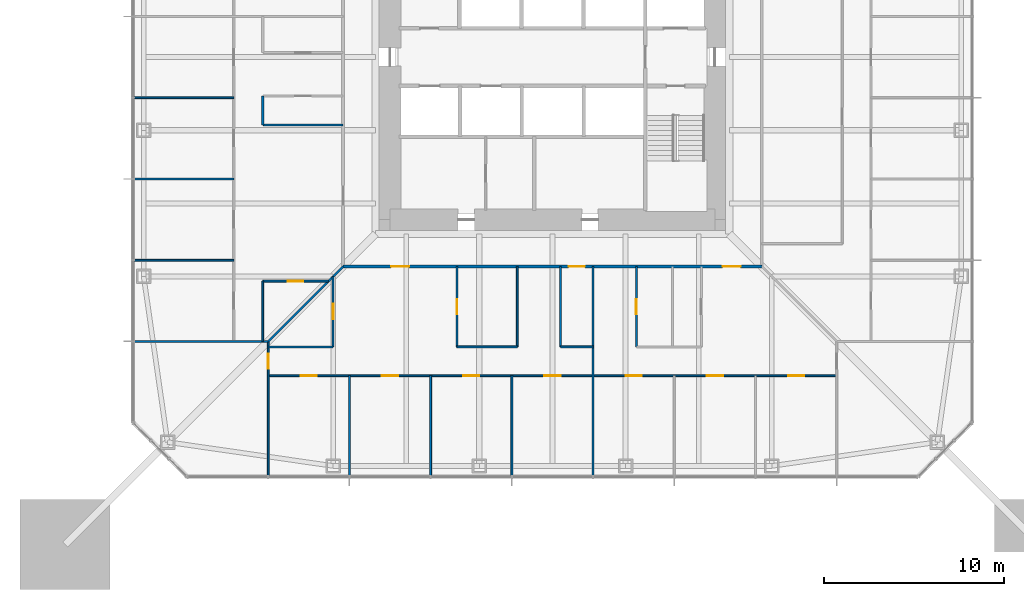
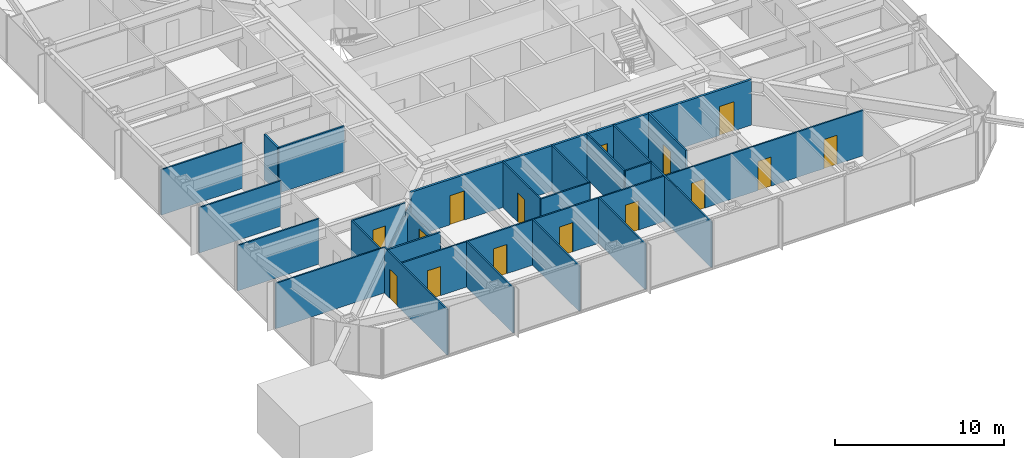
# One storey, part 14 of 26: 24 walls, 15 doors, 15 openings.
"""IFC4 building model written with IfcOpenShell, lengths in metres."""

import ifcopenshell
import ifcopenshell.guid

model = None  # the IFC model being written
_history = None  # IfcOwnerHistory: only IFC2X3 demands one
_inside = {}  # id of a spatial element -> (the spatial element, [elements in it])
_under = {}  # id of a project, library or spatial element -> (it, [spatial elements below it])
_declared = {}  # id of a project -> (the project, [libraries it declares])
_typed = {}  # id of a type object -> (the type object, [elements of that type])
_made_of = {}  # id of a material, layer set ... -> (it, [elements and type objects made of it])


def new_model(schema):
    """Start an empty IFC model of exactly this schema.

    Asked for "IFC4X3", IfcOpenShell would pick the latest addendum, in which some entities
    have other attributes; the version numbers below select the first issue.
    IFC2X3 requires an IfcOwnerHistory on every rooted entity: one is made here for all.
    """
    global model, _history
    if schema == "IFC4X3":
        model = ifcopenshell.file(schema_version=(4, 3, 0, 0))
    else:
        model = ifcopenshell.file(schema=schema)
    _inside.clear()
    _under.clear()
    _declared.clear()
    _typed.clear()
    _made_of.clear()
    _history = None
    if model.schema == "IFC2X3":
        org = make("IfcOrganization", Name="unknown")
        user = make(
            "IfcPersonAndOrganization",
            ThePerson=make("IfcPerson", FamilyName="unknown"),
            TheOrganization=org,
        )
        app = make(
            "IfcApplication",
            ApplicationDeveloper=org,
            Version="unknown",
            ApplicationFullName="unknown",
            ApplicationIdentifier="unknown",
        )
        _history = make(
            "IfcOwnerHistory",
            OwningUser=user,
            OwningApplication=app,
            ChangeAction="ADDED",
            CreationDate=0,
        )
    return model


def make(cls, **values):
    """One entity of the class cls with the attributes given. An attribute that is None is left unset."""
    return model.create_entity(
        cls, **{name: value for name, value in values.items() if value is not None}
    )


def rooted(cls, **values):
    """An entity with a GlobalId (a new one), such as an element, a storey or a relation."""
    return make(cls, GlobalId=ifcopenshell.guid.new(), OwnerHistory=_history, **values)


def si_unit(unit_type, name, prefix=None):
    """IfcSIUnit, for example si_unit("LENGTHUNIT", "METRE", prefix="MILLI")."""
    return make("IfcSIUnit", UnitType=unit_type, Prefix=prefix, Name=name)


def assignment(units):
    """IfcUnitAssignment: the units of a project."""
    return None if units is None else make("IfcUnitAssignment", Units=units)


def point(xyz):
    """IfcCartesianPoint."""
    return None if xyz is None else make("IfcCartesianPoint", Coordinates=xyz)


def direction(xyz):
    """IfcDirection."""
    return None if xyz is None else make("IfcDirection", DirectionRatios=xyz)


def frame(location, z_axis=None, x_axis=None):
    """IfcAxis2Placement3D, a coordinate frame: its origin and axes. An axis left out is left unset."""
    return make(
        "IfcAxis2Placement3D",
        Location=point(location),
        Axis=direction(z_axis),
        RefDirection=direction(x_axis),
    )


def frame_2d(location, x_axis=None):
    """IfcAxis2Placement2D, a coordinate frame in the plane: its origin and x axis."""
    return make(
        "IfcAxis2Placement2D", Location=point(location), RefDirection=direction(x_axis)
    )


def origin():
    """The frame at (0, 0, 0) with its axes left unset."""
    return frame((0.0, 0.0, 0.0))


def place(relative_to, where):
    """IfcLocalPlacement: puts the frame where relative to a parent placement (None: the world)."""
    return make(
        "IfcLocalPlacement", PlacementRelTo=relative_to, RelativePlacement=where
    )


def context(
    kind, dimensions, precision=None, world=None, true_north=None, identifier=None
):
    """IfcGeometricRepresentationContext, for example the 3D "Model" context."""
    return make(
        "IfcGeometricRepresentationContext",
        ContextIdentifier=identifier,
        ContextType=kind,
        CoordinateSpaceDimension=dimensions,
        Precision=precision,
        WorldCoordinateSystem=world,
        TrueNorth=true_north,
    )


def subcontext(parent, identifier, kind, view, scale=None):
    """IfcGeometricRepresentationSubContext, for example "Body" below "Model"."""
    return make(
        "IfcGeometricRepresentationSubContext",
        ContextIdentifier=identifier,
        ContextType=kind,
        ParentContext=parent,
        TargetScale=scale,
        TargetView=view,
    )


def project(units=None, contexts=None):
    """IfcProject with its units and contexts."""
    return rooted(
        "IfcProject",
        Name="project",
        RepresentationContexts=contexts,
        UnitsInContext=assignment(units),
    )


def spatial(cls, under=None, at=None, **own):
    """A site, building, storey or space (cls), placed at a placement, below another one or the project."""
    s = rooted(cls, ObjectPlacement=at, **own)
    if under is not None:
        _under.setdefault(under.id(), (under, []))[1].append(s)
    return s


def profile(cls, at=None, kind="AREA", **sizes):
    """A parametric profile (cls). Its sizes go by their IFC names, for example OverallWidth=200.0."""
    return make(cls, ProfileType=kind, Position=at, **sizes)


def rectangle(**sizes):
    """IfcRectangleProfileDef."""
    return profile("IfcRectangleProfileDef", **sizes)


def extrude(swept, where, along, depth):
    """IfcExtrudedAreaSolid: the profile swept, set in the frame where, extruded along a direction by depth."""
    return make(
        "IfcExtrudedAreaSolid",
        SweptArea=swept,
        Position=where,
        ExtrudedDirection=direction(along),
        Depth=depth,
    )


def shape(context_of_items, identifier, shape_type, items):
    """IfcShapeRepresentation: the items that make up one representation, for example the "Body"."""
    return make(
        "IfcShapeRepresentation",
        ContextOfItems=context_of_items,
        RepresentationIdentifier=identifier,
        RepresentationType=shape_type,
        Items=items,
    )


def material(Name=None, Category=None):
    """IfcMaterial."""
    return make("IfcMaterial", Name=Name, Category=Category)


def layer(
    of_material, thickness, ventilated=None, Name=None, Category=None, Priority=None
):
    """IfcMaterialLayer: one layer of a wall or slab, of a material (None: an air gap)."""
    return make(
        "IfcMaterialLayer",
        Material=of_material,
        LayerThickness=thickness,
        IsVentilated=ventilated,
        Name=Name,
        Category=Category,
        Priority=Priority,
    )


def layer_set(layers, Name=None):
    """IfcMaterialLayerSet."""
    return make("IfcMaterialLayerSet", MaterialLayers=layers, LayerSetName=Name)


def made_of(thing, what):
    """Note that an element or type object is made of a material, layer set ...; save() writes the relation."""
    if what is not None:
        _made_of.setdefault(what.id(), (what, []))[1].append(thing)
    return thing


def type_object(cls, material=None, **own):
    """A type object (cls), such as IfcWallType, which elements share."""
    return made_of(rooted(cls, **own), material)


def element(
    cls,
    number,
    at=None,
    inside=None,
    cuts=None,
    type_object=None,
    material=None,
    context=None,
    identifier="Body",
    shape_type=None,
    held_by="IfcProductDefinitionShape",
    body=None,
    shapes=None,
    **own,
):
    """One element of the class cls, such as IfcWall. Its Tag is "e" and its number.

    at: its placement. inside: the storey or other place that contains it. cuts: it is an
    opening in that element (IfcRelVoidsElement). A single representation is given by context,
    identifier, shape_type and body (its items); several are given by shapes. held_by: the class
    of the entity that holds the representations. save() writes the other relations.
    """
    e = rooted(cls, Tag="e%d" % number, ObjectPlacement=at, **own)
    if body is not None:
        shapes = [shape(context, identifier, shape_type, body)]
    if shapes is not None:
        e.Representation = make(held_by, Representations=shapes)
    if inside is not None:
        _inside.setdefault(inside.id(), (inside, []))[1].append(e)
    if cuts is not None:
        rooted(
            "IfcRelVoidsElement", RelatingBuildingElement=cuts, RelatedOpeningElement=e
        )
    if type_object is not None:
        _typed.setdefault(type_object.id(), (type_object, []))[1].append(e)
    return made_of(e, material)


def fill(opening, filler):
    """IfcRelFillsElement: the door or window that sits in an opening."""
    return rooted(
        "IfcRelFillsElement",
        RelatingOpeningElement=opening,
        RelatedBuildingElement=filler,
    )


def aggregate(whole, parts):
    """IfcRelAggregates: a whole, such as a stair, and the parts it consists of."""
    return rooted("IfcRelAggregates", RelatingObject=whole, RelatedObjects=parts)


def save(model, path):
    """Write the relations noted so far, then the file.

    IfcRelAggregates (storeys below a building ...), IfcRelContainedInSpatialStructure (elements
    in a storey), IfcRelDefinesByType, IfcRelAssociatesMaterial and IfcRelDeclares: one each for
    every whole, place, type object, material and project.
    """
    for whole, parts in _under.values():
        aggregate(whole, parts)
    for where, things in _inside.values():
        rooted(
            "IfcRelContainedInSpatialStructure",
            RelatedElements=things,
            RelatingStructure=where,
        )
    for kind, things in _typed.values():
        rooted("IfcRelDefinesByType", RelatedObjects=things, RelatingType=kind)
    for what, things in _made_of.values():
        rooted("IfcRelAssociatesMaterial", RelatedObjects=things, RelatingMaterial=what)
    for by, libraries in _declared.values():
        rooted("IfcRelDeclares", RelatingContext=by, RelatedDefinitions=libraries)
    model.write(path)


model = new_model("IFC4")

# Units and contexts
model_context = context("Model", 3, precision=1e-05, world=origin(), true_north=direction((0.0, 1.0)))
body_context = subcontext(model_context, "Body", "Model", "MODEL_VIEW")
ifc_project = project(units=[si_unit("LENGTHUNIT", "METRE"), si_unit("AREAUNIT", "SQUARE_METRE"), si_unit("VOLUMEUNIT", "CUBIC_METRE"), si_unit("PLANEANGLEUNIT", "RADIAN"), si_unit("MASSUNIT", "GRAM", prefix="KILO")], contexts=[model_context])

# Site, building, storey
site_placement = place(None, origin())
site = spatial("IfcSite", under=ifc_project, at=site_placement, CompositionType="ELEMENT")
building_placement = place(site_placement, origin())
building = spatial("IfcBuilding", under=site, at=building_placement, Name="Iwan Alto Co-Living Towers", CompositionType="ELEMENT")
storey_placement = place(building_placement, frame((0.0, 0.0, 60.5)))
storey = spatial("IfcBuildingStorey", under=building, at=storey_placement, Name="L16", CompositionType="ELEMENT", Elevation=60.5)

# Wall, openings, doors
ifc_material_1 = material(Name="Gypsum board")
ifc_layer_1 = layer(ifc_material_1, 0.02490234375, Name="Board", Category="Finish")
ifc_material_2 = material(Name="Steel ASTM A1003 ST33H cold-formed studs", Category="steel")
ifc_layer_2 = layer(ifc_material_2, 0.10009765625, Name="Studs", Category="Framing")
ifc_layer_3 = layer(ifc_material_1, 0.02490234375, Name="Board", Category="Finish")
ifc_layer_set_1 = layer_set([ifc_layer_1, ifc_layer_2, ifc_layer_3], Name="CORRIDOR WALL 150")
wall_type_1 = type_object("IfcWallType", Name="CORRIDOR WALL 150", PredefinedType="PARTITIONING", material=ifc_layer_set_1)
wall_1_placement = place(storey_placement, frame((-11.60009765625, -11.60009765625, 0.0), z_axis=(0.0, 0.0, 1.0), x_axis=(1.0, 0.0, 0.0)))
wall_1 = element("IfcWall", 1, at=wall_1_placement, inside=storey, type_object=wall_type_1, Name="Partition L16", PredefinedType="PARTITIONING", context=body_context, shape_type="SweptSolid", body=[
    extrude(rectangle(XDim=23.2001953125, YDim=0.14990234375, at=frame_2d((11.60009765625, 0.0))), origin(), (0.0, 0.0, 1.0), 3.27001953125),
])
opening_1_placement = place(wall_1_placement, frame((2.655029296875, 0.0, 0.0)))
opening_1 = element("IfcOpeningElement", 2, at=opening_1_placement, cuts=wall_1, Name="Opening D3", PredefinedType="OPENING", context=body_context, shape_type="SweptSolid", body=[
    extrude(rectangle(XDim=1.0, YDim=2.10009765625, at=frame_2d((0.5, 1.050048828125))), frame((0.0, 0.0849609375, 0.0), z_axis=(0.0, -1.0, 0.0), x_axis=(1.0, 0.0, 0.0)), (0.0, 0.0, 1.0), 0.169921875),
])
opening_2_placement = place(wall_1_placement, frame((12.5, 0.0, 0.0)))
opening_2 = element("IfcOpeningElement", 3, at=opening_2_placement, cuts=wall_1, Name="Opening D8", PredefinedType="OPENING", context=body_context, shape_type="SweptSolid", body=[
    extrude(rectangle(XDim=0.89990234375, YDim=2.10009765625, at=frame_2d((0.449951171875, 1.050048828125))), frame((0.0, 0.0849609375, 0.0), z_axis=(0.0, -1.0, 0.0), x_axis=(1.0, 0.0, 0.0)), (0.0, 0.0, 1.0), 0.169921875),
])
opening_3_placement = place(wall_1_placement, frame((21.02490234375, 0.0, 0.0)))
opening_3 = element("IfcOpeningElement", 4, at=opening_3_placement, cuts=wall_1, Name="Opening D3", PredefinedType="OPENING", context=body_context, shape_type="SweptSolid", body=[
    extrude(rectangle(XDim=1.0, YDim=2.10009765625, at=frame_2d((0.5, 1.050048828125))), frame((0.0, 0.0849609375, 0.0), z_axis=(0.0, -1.0, 0.0), x_axis=(1.0, 0.0, 0.0)), (0.0, 0.0, 1.0), 0.169921875),
])
ifc_material_3 = material(Name="Steel frame with timber leaf", Category="steel")
door_type_1 = type_object("IfcDoorType", Name="FLAT ENTRANCE DOOR FD30S 1000X2100", OperationType="SINGLE_SWING_LEFT", PredefinedType="DOOR", material=ifc_material_3)
door_1_placement = place(opening_1_placement, frame((1.0, 0.0, 0.0), z_axis=(0.0, 0.0, 1.0), x_axis=(-1.0, 0.0, 0.0)))
door_1 = element("IfcDoor", 5, at=door_1_placement, inside=storey, type_object=door_type_1, Name="Cluster lounge door L16", OperationType="SINGLE_SWING_LEFT", OverallHeight=2.10009765625, OverallWidth=1.0, PredefinedType="DOOR", context=body_context, shape_type="SweptSolid", body=[
    extrude(rectangle(XDim=1.0, YDim=2.10009765625, at=frame_2d((0.5, 1.050048828125))), frame((0.0, 0.02490234375, 0.0), z_axis=(0.0, -1.0, 0.0), x_axis=(1.0, 0.0, 0.0)), (0.0, 0.0, 1.0), 0.050048828125),
])
fill(opening_1, door_1)
door_2_placement = place(opening_3_placement, frame((1.0, 0.0, 0.0), z_axis=(0.0, 0.0, 1.0), x_axis=(-1.0, 0.0, 0.0)))
door_2 = element("IfcDoor", 6, at=door_2_placement, inside=storey, type_object=door_type_1, Name="Cluster lounge door L16", OperationType="SINGLE_SWING_RIGHT", OverallHeight=2.10009765625, OverallWidth=1.0, PredefinedType="DOOR", context=body_context, shape_type="SweptSolid", body=[
    extrude(rectangle(XDim=1.0, YDim=2.10009765625, at=frame_2d((0.5, 1.050048828125))), frame((0.0, 0.02490234375, 0.0), z_axis=(0.0, -1.0, 0.0), x_axis=(1.0, 0.0, 0.0)), (0.0, 0.0, 1.0), 0.050048828125),
])
fill(opening_3, door_2)
ifc_material_4 = material(Name="Steel frame with timber leaf", Category="steel")
door_type_2 = type_object("IfcDoorType", Name="RISER DOOR FD120 900X2100", OperationType="SINGLE_SWING_LEFT", PredefinedType="DOOR", material=ifc_material_4)
door_3_placement = place(opening_2_placement, frame((0.89990234375, 0.0, 0.0), z_axis=(0.0, 0.0, 1.0), x_axis=(-1.0, 0.0, 0.0)))
door_3 = element("IfcDoor", 7, at=door_3_placement, inside=storey, type_object=door_type_2, Name="Linen store door L16", OperationType="SINGLE_SWING_RIGHT", OverallHeight=2.10009765625, OverallWidth=0.89990234375, PredefinedType="DOOR", context=body_context, shape_type="SweptSolid", body=[
    extrude(rectangle(XDim=0.89990234375, YDim=2.10009765625, at=frame_2d((0.449951171875, 1.050048828125))), frame((0.0, 0.02490234375, 0.0), z_axis=(0.0, -1.0, 0.0), x_axis=(1.0, 0.0, 0.0)), (0.0, 0.0, 1.0), 0.050048828125),
])
fill(opening_2, door_3)

ifc_layer_4 = layer(ifc_material_1, 0.012451171875, Name="Board", Category="Finish")
ifc_layer_5 = layer(ifc_material_2, 0.074951171875, Name="Studs", Category="Framing")
ifc_layer_6 = layer(ifc_material_1, 0.012451171875, Name="Board", Category="Finish")
ifc_layer_set_2 = layer_set([ifc_layer_4, ifc_layer_5, ifc_layer_6], Name="PARTITION 100")
wall_type_2 = type_object("IfcWallType", Name="PARTITION 100", PredefinedType="PARTITIONING", material=ifc_layer_set_2)
wall_2_placement = place(storey_placement, frame((-15.75, -17.64990234375, 0.0), z_axis=(0.0, 0.0, 1.0), x_axis=(1.0, 0.0, 0.0)))
wall_2 = element("IfcWall", 8, at=wall_2_placement, inside=storey, type_object=wall_type_2, Name="Partition L16", PredefinedType="PARTITIONING", context=body_context, shape_type="SweptSolid", body=[
    extrude(rectangle(XDim=31.5, YDim=0.10009765625, at=frame_2d((15.75, 0.0))), origin(), (0.0, 0.0, 1.0), 3.27001953125),
])
opening_4_placement = place(wall_2_placement, frame((1.800048828125, 0.0, 0.0)))
opening_4 = element("IfcOpeningElement", 9, at=opening_4_placement, cuts=wall_2, Name="Opening D1", PredefinedType="OPENING", context=body_context, shape_type="SweptSolid", body=[
    extrude(rectangle(XDim=0.89990234375, YDim=2.10009765625, at=frame_2d((0.449951171875, 1.050048828125))), frame((0.0, 0.06005859375, 0.0), z_axis=(0.0, -1.0, 0.0), x_axis=(1.0, 0.0, 0.0)), (0.0, 0.0, 1.0), 0.1201171875),
])
opening_5_placement = place(wall_2_placement, frame((6.300048828125, 0.0, 0.0)))
opening_5 = element("IfcOpeningElement", 10, at=opening_5_placement, cuts=wall_2, Name="Opening D1", PredefinedType="OPENING", context=body_context, shape_type="SweptSolid", body=[
    extrude(rectangle(XDim=0.89990234375, YDim=2.10009765625, at=frame_2d((0.449951171875, 1.050048828125))), frame((0.0, 0.06005859375, 0.0), z_axis=(0.0, -1.0, 0.0), x_axis=(1.0, 0.0, 0.0)), (0.0, 0.0, 1.0), 0.1201171875),
])
opening_6_placement = place(wall_2_placement, frame((10.800048828125, 0.0, 0.0)))
opening_6 = element("IfcOpeningElement", 11, at=opening_6_placement, cuts=wall_2, Name="Opening D1", PredefinedType="OPENING", context=body_context, shape_type="SweptSolid", body=[
    extrude(rectangle(XDim=0.89990234375, YDim=2.10009765625, at=frame_2d((0.449951171875, 1.050048828125))), frame((0.0, 0.06005859375, 0.0), z_axis=(0.0, -1.0, 0.0), x_axis=(1.0, 0.0, 0.0)), (0.0, 0.0, 1.0), 0.1201171875),
])
opening_7_placement = place(wall_2_placement, frame((15.300048828125, 0.0, 0.0)))
opening_7 = element("IfcOpeningElement", 12, at=opening_7_placement, cuts=wall_2, Name="Opening D1", PredefinedType="OPENING", context=body_context, shape_type="SweptSolid", body=[
    extrude(rectangle(XDim=0.89990234375, YDim=2.10009765625, at=frame_2d((0.449951171875, 1.050048828125))), frame((0.0, 0.06005859375, 0.0), z_axis=(0.0, -1.0, 0.0), x_axis=(1.0, 0.0, 0.0)), (0.0, 0.0, 1.0), 0.1201171875),
])
opening_8_placement = place(wall_2_placement, frame((19.800048828125, 0.0, 0.0)))
opening_8 = element("IfcOpeningElement", 13, at=opening_8_placement, cuts=wall_2, Name="Opening D1", PredefinedType="OPENING", context=body_context, shape_type="SweptSolid", body=[
    extrude(rectangle(XDim=0.89990234375, YDim=2.10009765625, at=frame_2d((0.449951171875, 1.050048828125))), frame((0.0, 0.06005859375, 0.0), z_axis=(0.0, -1.0, 0.0), x_axis=(1.0, 0.0, 0.0)), (0.0, 0.0, 1.0), 0.1201171875),
])
opening_9_placement = place(wall_2_placement, frame((24.300048828125, 0.0, 0.0)))
opening_9 = element("IfcOpeningElement", 14, at=opening_9_placement, cuts=wall_2, Name="Opening D1", PredefinedType="OPENING", context=body_context, shape_type="SweptSolid", body=[
    extrude(rectangle(XDim=0.89990234375, YDim=2.10009765625, at=frame_2d((0.449951171875, 1.050048828125))), frame((0.0, 0.06005859375, 0.0), z_axis=(0.0, -1.0, 0.0), x_axis=(1.0, 0.0, 0.0)), (0.0, 0.0, 1.0), 0.1201171875),
])
opening_10_placement = place(wall_2_placement, frame((28.800048828125, 0.0, 0.0)))
opening_10 = element("IfcOpeningElement", 15, at=opening_10_placement, cuts=wall_2, Name="Opening D1", PredefinedType="OPENING", context=body_context, shape_type="SweptSolid", body=[
    extrude(rectangle(XDim=0.89990234375, YDim=2.10009765625, at=frame_2d((0.449951171875, 1.050048828125))), frame((0.0, 0.06005859375, 0.0), z_axis=(0.0, -1.0, 0.0), x_axis=(1.0, 0.0, 0.0)), (0.0, 0.0, 1.0), 0.1201171875),
])
ifc_material_5 = material(Name="Timber leaf in steel frame", Category="steel")
door_type_3 = type_object("IfcDoorType", Name="BEDROOM DOOR 900X2100", OperationType="SINGLE_SWING_LEFT", PredefinedType="DOOR", material=ifc_material_5)
door_4_placement = place(opening_4_placement, origin())
door_4 = element("IfcDoor", 16, at=door_4_placement, inside=storey, type_object=door_type_3, Name="Study bedroom door L16", OperationType="SINGLE_SWING_LEFT", OverallHeight=2.10009765625, OverallWidth=0.89990234375, PredefinedType="DOOR", context=body_context, shape_type="SweptSolid", body=[
    extrude(rectangle(XDim=0.89990234375, YDim=2.10009765625, at=frame_2d((0.449951171875, 1.050048828125))), frame((0.0, 0.02490234375, 0.0), z_axis=(0.0, -1.0, 0.0), x_axis=(1.0, 0.0, 0.0)), (0.0, 0.0, 1.0), 0.050048828125),
])
fill(opening_4, door_4)
door_5_placement = place(opening_5_placement, origin())
door_5 = element("IfcDoor", 17, at=door_5_placement, inside=storey, type_object=door_type_3, Name="Study bedroom door L16", OperationType="SINGLE_SWING_LEFT", OverallHeight=2.10009765625, OverallWidth=0.89990234375, PredefinedType="DOOR", context=body_context, shape_type="SweptSolid", body=[
    extrude(rectangle(XDim=0.89990234375, YDim=2.10009765625, at=frame_2d((0.449951171875, 1.050048828125))), frame((0.0, 0.02490234375, 0.0), z_axis=(0.0, -1.0, 0.0), x_axis=(1.0, 0.0, 0.0)), (0.0, 0.0, 1.0), 0.050048828125),
])
fill(opening_5, door_5)
door_6_placement = place(opening_6_placement, origin())
door_6 = element("IfcDoor", 18, at=door_6_placement, inside=storey, type_object=door_type_3, Name="Study bedroom door L16", OperationType="SINGLE_SWING_RIGHT", OverallHeight=2.10009765625, OverallWidth=0.89990234375, PredefinedType="DOOR", context=body_context, shape_type="SweptSolid", body=[
    extrude(rectangle(XDim=0.89990234375, YDim=2.10009765625, at=frame_2d((0.449951171875, 1.050048828125))), frame((0.0, 0.02490234375, 0.0), z_axis=(0.0, -1.0, 0.0), x_axis=(1.0, 0.0, 0.0)), (0.0, 0.0, 1.0), 0.050048828125),
])
fill(opening_6, door_6)
door_7_placement = place(opening_7_placement, origin())
door_7 = element("IfcDoor", 19, at=door_7_placement, inside=storey, type_object=door_type_3, Name="Study bedroom door L16", OperationType="SINGLE_SWING_RIGHT", OverallHeight=2.10009765625, OverallWidth=0.89990234375, PredefinedType="DOOR", context=body_context, shape_type="SweptSolid", body=[
    extrude(rectangle(XDim=0.89990234375, YDim=2.10009765625, at=frame_2d((0.449951171875, 1.050048828125))), frame((0.0, 0.02490234375, 0.0), z_axis=(0.0, -1.0, 0.0), x_axis=(1.0, 0.0, 0.0)), (0.0, 0.0, 1.0), 0.050048828125),
])
fill(opening_7, door_7)
door_8_placement = place(opening_8_placement, origin())
door_8 = element("IfcDoor", 20, at=door_8_placement, inside=storey, type_object=door_type_3, Name="Study bedroom door L16", OperationType="SINGLE_SWING_LEFT", OverallHeight=2.10009765625, OverallWidth=0.89990234375, PredefinedType="DOOR", context=body_context, shape_type="SweptSolid", body=[
    extrude(rectangle(XDim=0.89990234375, YDim=2.10009765625, at=frame_2d((0.449951171875, 1.050048828125))), frame((0.0, 0.02490234375, 0.0), z_axis=(0.0, -1.0, 0.0), x_axis=(1.0, 0.0, 0.0)), (0.0, 0.0, 1.0), 0.050048828125),
])
fill(opening_8, door_8)
door_9_placement = place(opening_9_placement, origin())
door_9 = element("IfcDoor", 21, at=door_9_placement, inside=storey, type_object=door_type_3, Name="Study bedroom door L16", OperationType="SINGLE_SWING_LEFT", OverallHeight=2.10009765625, OverallWidth=0.89990234375, PredefinedType="DOOR", context=body_context, shape_type="SweptSolid", body=[
    extrude(rectangle(XDim=0.89990234375, YDim=2.10009765625, at=frame_2d((0.449951171875, 1.050048828125))), frame((0.0, 0.02490234375, 0.0), z_axis=(0.0, -1.0, 0.0), x_axis=(1.0, 0.0, 0.0)), (0.0, 0.0, 1.0), 0.050048828125),
])
fill(opening_9, door_9)
door_10_placement = place(opening_10_placement, origin())
door_10 = element("IfcDoor", 22, at=door_10_placement, inside=storey, type_object=door_type_3, Name="Study bedroom door L16", OperationType="SINGLE_SWING_RIGHT", OverallHeight=2.10009765625, OverallWidth=0.89990234375, PredefinedType="DOOR", context=body_context, shape_type="SweptSolid", body=[
    extrude(rectangle(XDim=0.89990234375, YDim=2.10009765625, at=frame_2d((0.449951171875, 1.050048828125))), frame((0.0, 0.02490234375, 0.0), z_axis=(0.0, -1.0, 0.0), x_axis=(1.0, 0.0, 0.0)), (0.0, 0.0, 1.0), 0.050048828125),
])
fill(opening_10, door_10)

# Walls
wall_3_placement = place(storey_placement, frame((-5.2900390625, -16.050048828125, 0.0), z_axis=(0.0, 0.0, 1.0), x_axis=(1.0, 0.0, 0.0)))
element("IfcWall", 23, at=wall_3_placement, inside=storey, type_object=wall_type_2, Name="Partition L16", PredefinedType="PARTITIONING", context=body_context, shape_type="SweptSolid", body=[
    extrude(rectangle(XDim=3.340087890625, YDim=0.10009765625, at=frame_2d((1.669921875, 0.0))), origin(), (0.0, 0.0, 1.0), 3.27001953125),
])
wall_4_placement = place(storey_placement, frame((0.449951171875, -16.050048828125, 0.0), z_axis=(0.0, 0.0, 1.0), x_axis=(1.0, 0.0, 0.0)))
element("IfcWall", 24, at=wall_4_placement, inside=storey, type_object=wall_type_2, Name="Partition L16", PredefinedType="PARTITIONING", context=body_context, shape_type="SweptSolid", body=[
    extrude(rectangle(XDim=1.800048828125, YDim=0.10009765625, at=frame_2d((0.89990234375, 0.0))), origin(), (0.0, 0.0, 1.0), 3.27001953125),
])
wall_5_placement = place(storey_placement, frame((-23.18994140625, -15.75, 0.0), z_axis=(0.0, 0.0, 1.0), x_axis=(1.0, 0.0, 0.0)))
element("IfcWall", 25, at=wall_5_placement, inside=storey, type_object=wall_type_2, Name="Partition L16", PredefinedType="PARTITIONING", context=body_context, shape_type="SweptSolid", body=[
    extrude(rectangle(XDim=7.43994140625, YDim=0.10009765625, at=frame_2d((3.719970703125, 0.0))), origin(), (0.0, 0.0, 1.0), 3.27001953125),
])

# Wall, opening, door
wall_6_placement = place(storey_placement, frame((-16.050048828125, -12.409912109375, 0.0), z_axis=(0.0, 0.0, 1.0), x_axis=(1.0, 0.0, 0.0)))
wall_6 = element("IfcWall", 26, at=wall_6_placement, inside=storey, type_object=wall_type_2, Name="Partition L16", PredefinedType="PARTITIONING", context=body_context, shape_type="SweptSolid", body=[
    extrude(rectangle(XDim=3.64013671875, YDim=0.10009765625, at=frame_2d((1.820068359375, 0.0))), origin(), (0.0, 0.0, 1.0), 3.27001953125),
])
opening_11_placement = place(wall_6_placement, frame((1.39501953125, 0.0, 0.0)))
opening_11 = element("IfcOpeningElement", 27, at=opening_11_placement, cuts=wall_6, Name="Opening D2", PredefinedType="OPENING", context=body_context, shape_type="SweptSolid", body=[
    extrude(rectangle(XDim=0.85009765625, YDim=2.10009765625, at=frame_2d((0.425048828125, 1.050048828125))), frame((0.0, 0.06005859375, 0.0), z_axis=(0.0, -1.0, 0.0), x_axis=(1.0, 0.0, 0.0)), (0.0, 0.0, 1.0), 0.1201171875),
])
ifc_material_6 = material(Name="Timber leaf in steel frame", Category="steel")
door_type_4 = type_object("IfcDoorType", Name="ROOM DOOR 850X2100", OperationType="SINGLE_SWING_LEFT", PredefinedType="DOOR", material=ifc_material_6)
door_11_placement = place(opening_11_placement, origin())
door_11 = element("IfcDoor", 28, at=door_11_placement, inside=storey, type_object=door_type_4, Name="Study room door L16", OperationType="SINGLE_SWING_RIGHT", OverallHeight=2.10009765625, OverallWidth=0.85009765625, PredefinedType="DOOR", context=body_context, shape_type="SweptSolid", body=[
    extrude(rectangle(XDim=0.85009765625, YDim=2.10009765625, at=frame_2d((0.425048828125, 1.050048828125))), frame((0.0, 0.02490234375, 0.0), z_axis=(0.0, -1.0, 0.0), x_axis=(1.0, 0.0, 0.0)), (0.0, 0.0, 1.0), 0.050048828125),
])
fill(opening_11, door_11)

# Walls
for number, where, z_axis, x_axis, name in (
    (29, (-23.18994140625, -11.25, 0.0), (0.0, 0.0, 1.0), (1.0, 0.0, 0.0), "Partition L16"),
    (30, (-23.18994140625, -6.75, 0.0), (0.0, 0.0, 1.0), (1.0, 0.0, 0.0), "Partition L16"),
    (31, (-23.18994140625, -2.25, 0.0), (0.0, 0.0, 1.0), (1.0, 0.0, 0.0), "Partition L16"),
):
    element("IfcWall", number, at=place(storey_placement, frame(where, z_axis=z_axis, x_axis=x_axis)), inside=storey, type_object=wall_type_2, Name=name, PredefinedType="PARTITIONING", context=body_context, shape_type="SweptSolid", body=[
        extrude(rectangle(XDim=5.5400390625, YDim=0.10009765625, at=frame_2d((2.77001953125, 0.0))), origin(), (0.0, 0.0, 1.0), 3.27001953125),
    ])
wall_7_placement = place(storey_placement, frame((2.25, -23.18994140625, 0.0), z_axis=(0.0, 0.0, 1.0), x_axis=(0.0, 1.0, 0.0)))
element("IfcWall", 32, at=wall_7_placement, inside=storey, type_object=wall_type_2, Name="Partition L16", PredefinedType="PARTITIONING", context=body_context, shape_type="SweptSolid", body=[
    extrude(rectangle(XDim=11.58984375, YDim=0.10009765625, at=frame_2d((5.794921875, 0.0))), origin(), (0.0, 0.0, 1.0), 3.27001953125),
])
for number, where, z_axis, x_axis, name in (
    (33, (0.449951171875, -16.050048828125, 0.0), (0.0, 0.0, 1.0), (0.0, 1.0, 0.0), "Partition L16"),
    (34, (-1.949951171875, -16.050048828125, 0.0), (0.0, 0.0, 1.0), (0.0, 1.0, 0.0), "Partition L16"),
):
    element("IfcWall", number, at=place(storey_placement, frame(where, z_axis=z_axis, x_axis=x_axis)), inside=storey, type_object=wall_type_2, Name=name, PredefinedType="PARTITIONING", context=body_context, shape_type="SweptSolid", body=[
        extrude(rectangle(XDim=4.449951171875, YDim=0.10009765625, at=frame_2d((2.22509765625, 0.0))), origin(), (0.0, 0.0, 1.0), 3.27001953125),
    ])
wall_8_placement = place(storey_placement, frame((-2.25, -23.18994140625, 0.0), z_axis=(0.0, 0.0, 1.0), x_axis=(0.0, 1.0, 0.0)))
element("IfcWall", 35, at=wall_8_placement, inside=storey, type_object=wall_type_2, Name="Partition L16", PredefinedType="PARTITIONING", context=body_context, shape_type="SweptSolid", body=[
    extrude(rectangle(XDim=5.5400390625, YDim=0.10009765625, at=frame_2d((2.77001953125, 0.0))), origin(), (0.0, 0.0, 1.0), 3.27001953125),
])

# Wall, opening, door
wall_9_placement = place(storey_placement, frame((-5.2900390625, -16.050048828125, 0.0), z_axis=(0.0, 0.0, 1.0), x_axis=(0.0, 1.0, 0.0)))
wall_9 = element("IfcWall", 36, at=wall_9_placement, inside=storey, type_object=wall_type_2, Name="Partition L16", PredefinedType="PARTITIONING", context=body_context, shape_type="SweptSolid", body=[
    extrude(rectangle(XDim=4.449951171875, YDim=0.10009765625, at=frame_2d((2.22509765625, 0.0))), origin(), (0.0, 0.0, 1.0), 3.27001953125),
])
opening_12_placement = place(wall_9_placement, frame((1.800048828125, 0.0, 0.0)))
opening_12 = element("IfcOpeningElement", 37, at=opening_12_placement, cuts=wall_9, Name="Opening D2", PredefinedType="OPENING", context=body_context, shape_type="SweptSolid", body=[
    extrude(rectangle(XDim=0.85009765625, YDim=2.10009765625, at=frame_2d((0.425048828125, 1.050048828125))), frame((0.0, 0.06005859375, 0.0), z_axis=(0.0, -1.0, 0.0), x_axis=(1.0, 0.0, 0.0)), (0.0, 0.0, 1.0), 0.1201171875),
])
door_12_placement = place(opening_12_placement, origin())
door_12 = element("IfcDoor", 38, at=door_12_placement, inside=storey, type_object=door_type_4, Name="Study room door L16", OperationType="SINGLE_SWING_RIGHT", OverallHeight=2.10009765625, OverallWidth=0.85009765625, PredefinedType="DOOR", context=body_context, shape_type="SweptSolid", body=[
    extrude(rectangle(XDim=0.85009765625, YDim=2.10009765625, at=frame_2d((0.425048828125, 1.050048828125))), frame((0.0, 0.02490234375, 0.0), z_axis=(0.0, -1.0, 0.0), x_axis=(1.0, 0.0, 0.0)), (0.0, 0.0, 1.0), 0.050048828125),
])
fill(opening_12, door_12)

# Walls
for number, where, z_axis, x_axis, name in (
    (39, (-6.75, -23.18994140625, 0.0), (0.0, 0.0, 1.0), (0.0, 1.0, 0.0), "Partition L16"),
    (40, (-11.25, -23.18994140625, 0.0), (0.0, 0.0, 1.0), (0.0, 1.0, 0.0), "Partition L16"),
):
    element("IfcWall", number, at=place(storey_placement, frame(where, z_axis=z_axis, x_axis=x_axis)), inside=storey, type_object=wall_type_2, Name=name, PredefinedType="PARTITIONING", context=body_context, shape_type="SweptSolid", body=[
        extrude(rectangle(XDim=5.5400390625, YDim=0.10009765625, at=frame_2d((2.77001953125, 0.0))), origin(), (0.0, 0.0, 1.0), 3.27001953125),
    ])

# Wall, opening, door
wall_10_placement = place(storey_placement, frame((-15.75, -23.18994140625, 0.0), z_axis=(0.0, 0.0, 1.0), x_axis=(0.0, 1.0, 0.0)))
wall_10 = element("IfcWall", 41, at=wall_10_placement, inside=storey, type_object=wall_type_2, Name="Partition L16", PredefinedType="PARTITIONING", context=body_context, shape_type="SweptSolid", body=[
    extrude(rectangle(XDim=7.43994140625, YDim=0.10009765625, at=frame_2d((3.719970703125, 0.0))), origin(), (0.0, 0.0, 1.0), 3.27001953125),
])
opening_13_placement = place(wall_10_placement, frame((5.9150390625, 0.0, 0.0)))
opening_13 = element("IfcOpeningElement", 42, at=opening_13_placement, cuts=wall_10, Name="Opening D2", PredefinedType="OPENING", context=body_context, shape_type="SweptSolid", body=[
    extrude(rectangle(XDim=0.85009765625, YDim=2.10009765625, at=frame_2d((0.425048828125, 1.050048828125))), frame((0.0, 0.06005859375, 0.0), z_axis=(0.0, -1.0, 0.0), x_axis=(1.0, 0.0, 0.0)), (0.0, 0.0, 1.0), 0.1201171875),
])
door_13_placement = place(opening_13_placement, frame((0.85009765625, 0.0, 0.0), z_axis=(0.0, 0.0, 1.0), x_axis=(-1.0, 0.0, 0.0)))
door_13 = element("IfcDoor", 43, at=door_13_placement, inside=storey, type_object=door_type_4, Name="Shared kitchen and dining room door L16", OperationType="SINGLE_SWING_RIGHT", OverallHeight=2.10009765625, OverallWidth=0.85009765625, PredefinedType="DOOR", context=body_context, shape_type="SweptSolid", body=[
    extrude(rectangle(XDim=0.85009765625, YDim=2.10009765625, at=frame_2d((0.425048828125, 1.050048828125))), frame((0.0, 0.02490234375, 0.0), z_axis=(0.0, -1.0, 0.0), x_axis=(1.0, 0.0, 0.0)), (0.0, 0.0, 1.0), 0.050048828125),
])
fill(opening_13, door_13)

# Walls
wall_11_placement = place(storey_placement, frame((-16.050048828125, -15.75, 0.0), z_axis=(0.0, 0.0, 1.0), x_axis=(0.0, 1.0, 0.0)))
element("IfcWall", 44, at=wall_11_placement, inside=storey, type_object=wall_type_2, Name="Partition L16", PredefinedType="PARTITIONING", context=body_context, shape_type="SweptSolid", body=[
    extrude(rectangle(XDim=3.340087890625, YDim=0.10009765625, at=frame_2d((1.669921875, 0.0))), origin(), (0.0, 0.0, 1.0), 3.27001953125),
])
ifc_material_7 = material(Name="Cement board")
ifc_layer_7 = layer(ifc_material_7, 0.012451171875, Name="Board", Category="Finish")
ifc_layer_8 = layer(ifc_material_2, 0.094970703125, Name="Studs", Category="Framing")
ifc_layer_9 = layer(ifc_material_7, 0.012451171875, Name="Board", Category="Finish")
ifc_layer_set_3 = layer_set([ifc_layer_7, ifc_layer_8, ifc_layer_9], Name="WET AREA PARTITION 120")
wall_type_3 = type_object("IfcWallType", Name="WET AREA PARTITION 120", PredefinedType="PARTITIONING", material=ifc_layer_set_3)
wall_12_placement = place(storey_placement, frame((-15.75, -16.050048828125, 0.0), z_axis=(0.0, 0.0, 1.0), x_axis=(1.0, 0.0, 0.0)))
element("IfcWall", 45, at=wall_12_placement, inside=storey, type_object=wall_type_3, Name="Partition L16", PredefinedType="PARTITIONING", context=body_context, shape_type="SweptSolid", body=[
    extrude(rectangle(XDim=3.60009765625, YDim=0.1201171875, at=frame_2d((1.800048828125, 0.0))), origin(), (0.0, 0.0, 1.0), 3.27001953125),
])
wall_13_placement = place(storey_placement, frame((-16.050048828125, -3.75, 0.0), z_axis=(0.0, 0.0, 1.0), x_axis=(1.0, 0.0, 0.0)))
element("IfcWall", 46, at=wall_13_placement, inside=storey, type_object=wall_type_3, Name="Partition L16", PredefinedType="PARTITIONING", context=body_context, shape_type="SweptSolid", body=[
    extrude(rectangle(XDim=4.449951171875, YDim=0.1201171875, at=frame_2d((2.22509765625, 0.0))), origin(), (0.0, 0.0, 1.0), 3.27001953125),
])
wall_14_placement = place(storey_placement, frame((-15.75, -15.75, 0.0), z_axis=(0.0, 0.0, 1.0), x_axis=(0.707106781187, 0.707106781187, 0.0)))
element("IfcWall", 47, at=wall_14_placement, inside=storey, type_object=wall_type_3, Name="Partition L16", PredefinedType="PARTITIONING", context=body_context, shape_type="SweptSolid", body=[
    extrude(rectangle(XDim=5.868896484375, YDim=0.1201171875, at=frame_2d((2.9345703125, 0.0))), origin(), (0.0, 0.0, 1.0), 2.343017578125),
])

# Wall, opening, door
wall_15_placement = place(storey_placement, frame((4.64990234375, -16.050048828125, 0.0), z_axis=(0.0, 0.0, 1.0), x_axis=(0.0, 1.0, 0.0)))
wall_15 = element("IfcWall", 48, at=wall_15_placement, inside=storey, type_object=wall_type_3, Name="Partition L16", PredefinedType="PARTITIONING", context=body_context, shape_type="SweptSolid", body=[
    extrude(rectangle(XDim=4.449951171875, YDim=0.1201171875, at=frame_2d((2.22509765625, 0.0))), origin(), (0.0, 0.0, 1.0), 3.27001953125),
])
opening_14_placement = place(wall_15_placement, frame((1.800048828125, 0.0, 0.0)))
opening_14 = element("IfcOpeningElement", 49, at=opening_14_placement, cuts=wall_15, Name="Opening D2", PredefinedType="OPENING", context=body_context, shape_type="SweptSolid", body=[
    extrude(rectangle(XDim=0.85009765625, YDim=2.10009765625, at=frame_2d((0.425048828125, 1.050048828125))), frame((0.0, 0.070068359375, 0.0), z_axis=(0.0, -1.0, 0.0), x_axis=(1.0, 0.0, 0.0)), (0.0, 0.0, 1.0), 0.14013671875),
])
door_14_placement = place(opening_14_placement, origin())
door_14 = element("IfcDoor", 50, at=door_14_placement, inside=storey, type_object=door_type_4, Name="Laundry door L16", OperationType="SINGLE_SWING_RIGHT", OverallHeight=2.10009765625, OverallWidth=0.85009765625, PredefinedType="DOOR", context=body_context, shape_type="SweptSolid", body=[
    extrude(rectangle(XDim=0.85009765625, YDim=2.10009765625, at=frame_2d((0.425048828125, 1.050048828125))), frame((0.0, 0.02490234375, 0.0), z_axis=(0.0, -1.0, 0.0), x_axis=(1.0, 0.0, 0.0)), (0.0, 0.0, 1.0), 0.050048828125),
])
fill(opening_14, door_14)

wall_16_placement = place(storey_placement, frame((-12.14990234375, -16.050048828125, 0.0), z_axis=(0.0, 0.0, 1.0), x_axis=(0.0, 1.0, 0.0)))
wall_16 = element("IfcWall", 51, at=wall_16_placement, inside=storey, type_object=wall_type_3, Name="Partition L16", PredefinedType="PARTITIONING", context=body_context, shape_type="SweptSolid", body=[
    extrude(rectangle(XDim=3.900146484375, YDim=0.1201171875, at=frame_2d((1.9501953125, 0.0))), origin(), (0.0, 0.0, 1.0), 2.508056640625),
])
opening_15_placement = place(wall_16_placement, frame((1.52490234375, 0.0, 0.0)))
opening_15 = element("IfcOpeningElement", 52, at=opening_15_placement, cuts=wall_16, Name="Opening D2", PredefinedType="OPENING", context=body_context, shape_type="SweptSolid", body=[
    extrude(rectangle(XDim=0.85009765625, YDim=2.10009765625, at=frame_2d((0.425048828125, 1.050048828125))), frame((0.0, 0.070068359375, 0.0), z_axis=(0.0, -1.0, 0.0), x_axis=(1.0, 0.0, 0.0)), (0.0, 0.0, 1.0), 0.14013671875),
])
door_15_placement = place(opening_15_placement, frame((0.85009765625, 0.0, 0.0), z_axis=(0.0, 0.0, 1.0), x_axis=(-1.0, 0.0, 0.0)))
door_15 = element("IfcDoor", 53, at=door_15_placement, inside=storey, type_object=door_type_4, Name="Accessible bathroom door L16", OperationType="SINGLE_SWING_LEFT", OverallHeight=2.10009765625, OverallWidth=0.85009765625, PredefinedType="DOOR", context=body_context, shape_type="SweptSolid", body=[
    extrude(rectangle(XDim=0.85009765625, YDim=2.10009765625, at=frame_2d((0.425048828125, 1.050048828125))), frame((0.0, 0.02490234375, 0.0), z_axis=(0.0, -1.0, 0.0), x_axis=(1.0, 0.0, 0.0)), (0.0, 0.0, 1.0), 0.050048828125),
])
fill(opening_15, door_15)

# Wall
wall_17_placement = place(storey_placement, frame((-16.050048828125, -3.75, 0.0), z_axis=(0.0, 0.0, 1.0), x_axis=(0.0, 1.0, 0.0)))
element("IfcWall", 54, at=wall_17_placement, inside=storey, type_object=wall_type_3, Name="Partition L16", PredefinedType="PARTITIONING", context=body_context, shape_type="SweptSolid", body=[
    extrude(rectangle(XDim=1.60009765625, YDim=0.1201171875, at=frame_2d((0.800048828125, 0.0))), origin(), (0.0, 0.0, 1.0), 3.27001953125),
])

save(model, "model.ifc")
